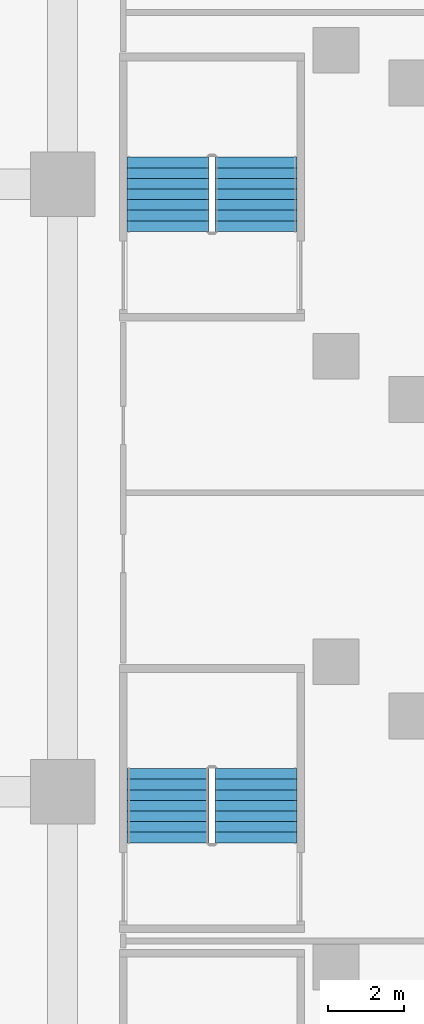
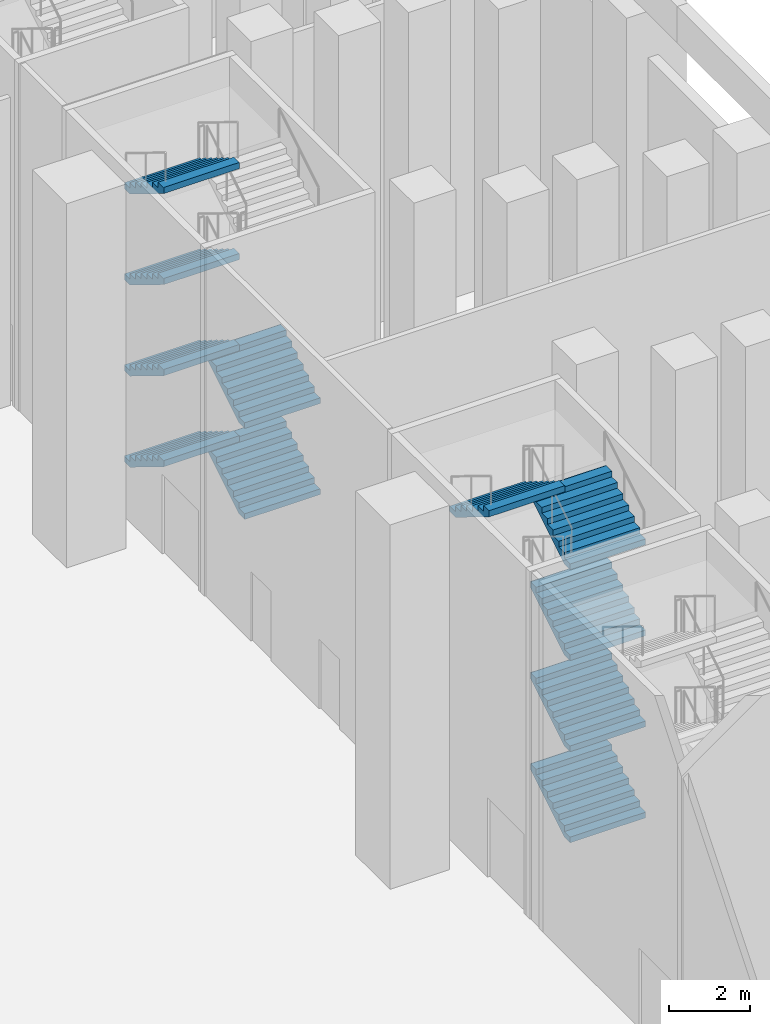
# One storey, part 19 of 31: 11 stair flights, 2 elements without a shape of their own.
"""IFC4 building model written with IfcOpenShell, lengths in metres."""

import ifcopenshell
import ifcopenshell.guid

model = None  # the IFC model being written
_history = None  # IfcOwnerHistory: only IFC2X3 demands one
_inside = {}  # id of a spatial element -> (the spatial element, [elements in it])
_under = {}  # id of a project, library or spatial element -> (it, [spatial elements below it])
_declared = {}  # id of a project -> (the project, [libraries it declares])
_typed = {}  # id of a type object -> (the type object, [elements of that type])
_made_of = {}  # id of a material, layer set ... -> (it, [elements and type objects made of it])


def new_model(schema):
    """Start an empty IFC model of exactly this schema.

    Asked for "IFC4X3", IfcOpenShell would pick the latest addendum, in which some entities
    have other attributes; the version numbers below select the first issue.
    IFC2X3 requires an IfcOwnerHistory on every rooted entity: one is made here for all.
    """
    global model, _history
    if schema == "IFC4X3":
        model = ifcopenshell.file(schema_version=(4, 3, 0, 0))
    else:
        model = ifcopenshell.file(schema=schema)
    _inside.clear()
    _under.clear()
    _declared.clear()
    _typed.clear()
    _made_of.clear()
    _history = None
    if model.schema == "IFC2X3":
        org = make("IfcOrganization", Name="unknown")
        user = make(
            "IfcPersonAndOrganization",
            ThePerson=make("IfcPerson", FamilyName="unknown"),
            TheOrganization=org,
        )
        app = make(
            "IfcApplication",
            ApplicationDeveloper=org,
            Version="unknown",
            ApplicationFullName="unknown",
            ApplicationIdentifier="unknown",
        )
        _history = make(
            "IfcOwnerHistory",
            OwningUser=user,
            OwningApplication=app,
            ChangeAction="ADDED",
            CreationDate=0,
        )
    return model


def make(cls, **values):
    """One entity of the class cls with the attributes given. An attribute that is None is left unset."""
    return model.create_entity(
        cls, **{name: value for name, value in values.items() if value is not None}
    )


def rooted(cls, **values):
    """An entity with a GlobalId (a new one), such as an element, a storey or a relation."""
    return make(cls, GlobalId=ifcopenshell.guid.new(), OwnerHistory=_history, **values)


def si_unit(unit_type, name, prefix=None):
    """IfcSIUnit, for example si_unit("LENGTHUNIT", "METRE", prefix="MILLI")."""
    return make("IfcSIUnit", UnitType=unit_type, Prefix=prefix, Name=name)


def assignment(units):
    """IfcUnitAssignment: the units of a project."""
    return None if units is None else make("IfcUnitAssignment", Units=units)


def point(xyz):
    """IfcCartesianPoint."""
    return None if xyz is None else make("IfcCartesianPoint", Coordinates=xyz)


def direction(xyz):
    """IfcDirection."""
    return None if xyz is None else make("IfcDirection", DirectionRatios=xyz)


def frame(location, z_axis=None, x_axis=None):
    """IfcAxis2Placement3D, a coordinate frame: its origin and axes. An axis left out is left unset."""
    return make(
        "IfcAxis2Placement3D",
        Location=point(location),
        Axis=direction(z_axis),
        RefDirection=direction(x_axis),
    )


def origin():
    """The frame at (0, 0, 0) with its axes left unset."""
    return frame((0.0, 0.0, 0.0))


def place(relative_to, where):
    """IfcLocalPlacement: puts the frame where relative to a parent placement (None: the world)."""
    return make(
        "IfcLocalPlacement", PlacementRelTo=relative_to, RelativePlacement=where
    )


def context(
    kind, dimensions, precision=None, world=None, true_north=None, identifier=None
):
    """IfcGeometricRepresentationContext, for example the 3D "Model" context."""
    return make(
        "IfcGeometricRepresentationContext",
        ContextIdentifier=identifier,
        ContextType=kind,
        CoordinateSpaceDimension=dimensions,
        Precision=precision,
        WorldCoordinateSystem=world,
        TrueNorth=true_north,
    )


def subcontext(parent, identifier, kind, view, scale=None):
    """IfcGeometricRepresentationSubContext, for example "Body" below "Model"."""
    return make(
        "IfcGeometricRepresentationSubContext",
        ContextIdentifier=identifier,
        ContextType=kind,
        ParentContext=parent,
        TargetScale=scale,
        TargetView=view,
    )


def project(units=None, contexts=None):
    """IfcProject with its units and contexts."""
    return rooted(
        "IfcProject",
        Name="project",
        RepresentationContexts=contexts,
        UnitsInContext=assignment(units),
    )


def spatial(cls, under=None, at=None, **own):
    """A site, building, storey or space (cls), placed at a placement, below another one or the project."""
    s = rooted(cls, ObjectPlacement=at, **own)
    if under is not None:
        _under.setdefault(under.id(), (under, []))[1].append(s)
    return s


def faces_of(points, faces, orient=None, outer=None):
    """IfcFace entities. A face is a list of loops; a loop is a list of indices into points, from 0.

    orient and outer hold one flag for each loop. By default every Orientation is true, the
    first loop of a face is its IfcFaceOuterBound and the others are IfcFaceBound.
    """
    made = []
    for i, loops in enumerate(faces):
        bounds = []
        for j, loop in enumerate(loops):
            is_outer = j == 0 if outer is None else outer[i][j]
            bounds.append(
                make(
                    "IfcFaceOuterBound" if is_outer else "IfcFaceBound",
                    Bound=make("IfcPolyLoop", Polygon=[points[k] for k in loop]),
                    Orientation=True if orient is None else orient[i][j],
                )
            )
        made.append(make("IfcFace", Bounds=bounds))
    return made


def faceted_brep(points, faces, orient=None, outer=None, voids=None):
    """IfcFacetedBrep: a solid bounded by flat faces; with voids (closed shells), ...WithVoids."""
    shared = [point(p) for p in points]
    hull = make("IfcClosedShell", CfsFaces=faces_of(shared, faces, orient, outer))
    if voids is None:
        return make("IfcFacetedBrep", Outer=hull)
    return make(
        "IfcFacetedBrepWithVoids",
        Outer=hull,
        Voids=[
            make(cls, CfsFaces=faces_of(shared, fs, o, b)) for cls, fs, o, b in voids
        ],
    )


def shape(context_of_items, identifier, shape_type, items):
    """IfcShapeRepresentation: the items that make up one representation, for example the "Body"."""
    return make(
        "IfcShapeRepresentation",
        ContextOfItems=context_of_items,
        RepresentationIdentifier=identifier,
        RepresentationType=shape_type,
        Items=items,
    )


def source(mapping_origin, context_of_items, identifier, shape_type, items):
    """IfcRepresentationMap: a shape defined once, which mapped items show again and again."""
    return make(
        "IfcRepresentationMap",
        MappingOrigin=mapping_origin,
        MappedRepresentation=shape(context_of_items, identifier, shape_type, items),
    )


def transform(
    local_origin,
    x_axis=None,
    y_axis=None,
    z_axis=None,
    scale=None,
    scale2=None,
    scale3=None,
    uniform=True,
):
    """IfcCartesianTransformationOperator3D, or its non-uniform kind. x_axis, y_axis, z_axis: its Axis1, 2, 3."""
    if uniform:
        return make(
            "IfcCartesianTransformationOperator3D",
            Axis1=direction(x_axis),
            Axis2=direction(y_axis),
            LocalOrigin=point(local_origin),
            Scale=scale,
            Axis3=direction(z_axis),
        )
    return make(
        "IfcCartesianTransformationOperator3DnonUniform",
        Axis1=direction(x_axis),
        Axis2=direction(y_axis),
        LocalOrigin=point(local_origin),
        Scale=scale,
        Axis3=direction(z_axis),
        Scale2=scale2,
        Scale3=scale3,
    )


def mapped(mapping_source, mapping_target):
    """IfcMappedItem: shows the shape of a source again, moved by a transform."""
    return make(
        "IfcMappedItem", MappingSource=mapping_source, MappingTarget=mapping_target
    )


def material(Name=None, Category=None):
    """IfcMaterial."""
    return make("IfcMaterial", Name=Name, Category=Category)


def made_of(thing, what):
    """Note that an element or type object is made of a material, layer set ...; save() writes the relation."""
    if what is not None:
        _made_of.setdefault(what.id(), (what, []))[1].append(thing)
    return thing


def type_object(cls, material=None, **own):
    """A type object (cls), such as IfcWallType, which elements share."""
    return made_of(rooted(cls, **own), material)


def element(
    cls,
    number,
    at=None,
    inside=None,
    cuts=None,
    type_object=None,
    material=None,
    context=None,
    identifier="Body",
    shape_type=None,
    held_by="IfcProductDefinitionShape",
    body=None,
    shapes=None,
    **own,
):
    """One element of the class cls, such as IfcWall. Its Tag is "e" and its number.

    at: its placement. inside: the storey or other place that contains it. cuts: it is an
    opening in that element (IfcRelVoidsElement). A single representation is given by context,
    identifier, shape_type and body (its items); several are given by shapes. held_by: the class
    of the entity that holds the representations. save() writes the other relations.
    """
    e = rooted(cls, Tag="e%d" % number, ObjectPlacement=at, **own)
    if body is not None:
        shapes = [shape(context, identifier, shape_type, body)]
    if shapes is not None:
        e.Representation = make(held_by, Representations=shapes)
    if inside is not None:
        _inside.setdefault(inside.id(), (inside, []))[1].append(e)
    if cuts is not None:
        rooted(
            "IfcRelVoidsElement", RelatingBuildingElement=cuts, RelatedOpeningElement=e
        )
    if type_object is not None:
        _typed.setdefault(type_object.id(), (type_object, []))[1].append(e)
    return made_of(e, material)


def aggregate(whole, parts):
    """IfcRelAggregates: a whole, such as a stair, and the parts it consists of."""
    return rooted("IfcRelAggregates", RelatingObject=whole, RelatedObjects=parts)


def save(model, path):
    """Write the relations noted so far, then the file.

    IfcRelAggregates (storeys below a building ...), IfcRelContainedInSpatialStructure (elements
    in a storey), IfcRelDefinesByType, IfcRelAssociatesMaterial and IfcRelDeclares: one each for
    every whole, place, type object, material and project.
    """
    for whole, parts in _under.values():
        aggregate(whole, parts)
    for where, things in _inside.values():
        rooted(
            "IfcRelContainedInSpatialStructure",
            RelatedElements=things,
            RelatingStructure=where,
        )
    for kind, things in _typed.values():
        rooted("IfcRelDefinesByType", RelatedObjects=things, RelatingType=kind)
    for what, things in _made_of.values():
        rooted("IfcRelAssociatesMaterial", RelatedObjects=things, RelatingMaterial=what)
    for by, libraries in _declared.values():
        rooted("IfcRelDeclares", RelatingContext=by, RelatedDefinitions=libraries)
    model.write(path)


model = new_model("IFC4")

# Units and contexts
model_context = context("Model", 3, precision=1e-05, world=origin(), true_north=direction((0.0, 1.0)))
body_context = subcontext(model_context, "Body", "Model", "MODEL_VIEW")
ifc_project = project(units=[si_unit("LENGTHUNIT", "METRE"), si_unit("AREAUNIT", "SQUARE_METRE"), si_unit("VOLUMEUNIT", "CUBIC_METRE"), si_unit("PLANEANGLEUNIT", "RADIAN"), si_unit("MASSUNIT", "GRAM", prefix="KILO")], contexts=[model_context])

# Site, building, storey
site_placement = place(None, origin())
site = spatial("IfcSite", under=ifc_project, at=site_placement, CompositionType="ELEMENT")
building_placement = place(site_placement, origin())
building = spatial("IfcBuilding", under=site, at=building_placement, Name="Calabash Gate Tower", CompositionType="ELEMENT")
storey_placement = place(building_placement, frame((0.0, 0.0, 9.0)))
storey = spatial("IfcBuildingStorey", under=building, at=storey_placement, Name="L01", CompositionType="ELEMENT", Elevation=9.0)

# Stair, stair flights
ifc_material_1 = material(Name="Concrete C40/50", Category="concrete")
stair_type = type_object("IfcStairType", Name="Public stair 64 risers of 171.9 mm", PredefinedType="HALF_TURN_STAIR", material=ifc_material_1)
stair_1_placement = place(storey_placement, origin())
stair_1 = element("IfcStair", 1, at=stair_1_placement, inside=storey, type_object=stair_type, Name="L01 Public Stair PS7", PredefinedType="HALF_TURN_STAIR")
ifc_material_2 = material(Name="Concrete C40/50", Category="concrete")
stair_flight_type = type_object("IfcStairFlightType", Name="Exit stair flight SFL", PredefinedType="STRAIGHT", material=ifc_material_2)
shared_shape = source(origin(), body_context, "Body", "Brep", [
    faceted_brep([(-0.0009765625, -1.080078125, 0.0), (0.285888671875, -1.080078125, 0.0), (1.9541015625, -1.080078125, 1.027099609375), (-0.0009765625, 1.080078125, 0.0), (1.9541015625, 1.080078125, 1.027099609375), (0.285888671875, 1.080078125, 0.0), (1.9541015625, -1.080078125, 1.215087890625), (1.952880859375, -1.080078125, 1.215087890625), (1.952880859375, 1.080078125, 1.215087890625), (1.9541015625, 1.080078125, 1.215087890625), (1.952880859375, -1.080078125, 1.203125), (1.952880859375, 1.080078125, 1.203125), (1.674072265625, -1.080078125, 1.203125), (1.674072265625, 1.080078125, 1.203125), (1.674072265625, -1.080078125, 1.03125), (1.674072265625, 1.080078125, 1.03125), (1.39501953125, -1.080078125, 1.03125), (1.39501953125, 1.080078125, 1.03125), (1.39501953125, -1.080078125, 0.859375), (1.39501953125, 1.080078125, 0.859375), (1.115966796875, -1.080078125, 0.859375), (1.115966796875, -1.080078125, 0.6875), (1.115966796875, 1.080078125, 0.6875), (1.115966796875, 1.080078125, 0.859375), (0.8369140625, -1.080078125, 0.6875), (0.8369140625, -1.080078125, 0.515625), (0.8369140625, 1.080078125, 0.515625), (0.8369140625, 1.080078125, 0.6875), (0.55810546875, -1.080078125, 0.515625), (0.55810546875, -1.080078125, 0.34375), (0.55810546875, 1.080078125, 0.34375), (0.55810546875, 1.080078125, 0.515625), (0.279052734375, -1.080078125, 0.34375), (0.279052734375, -1.080078125, 0.171875), (0.279052734375, 1.080078125, 0.171875), (0.279052734375, 1.080078125, 0.34375), (-0.0009765625, -1.080078125, 0.171875), (-0.0009765625, 1.080078125, 0.171875), (0.285888671875, -0.431884765625, 0.0), (1.9541015625, -0.431884765625, 1.027099609375), (0.285888671875, -0.370361328125, 0.0), (1.9541015625, -0.370361328125, 1.027099609375), (0.285888671875, -0.30859375, 0.0), (1.9541015625, -0.30859375, 1.027099609375), (0.285888671875, -0.246826171875, 0.0), (1.9541015625, -0.246826171875, 1.027099609375), (0.285888671875, -0.18505859375, 0.0), (1.9541015625, -0.18505859375, 1.027099609375), (0.285888671875, -0.12353515625, 0.0), (1.9541015625, -0.12353515625, 1.027099609375), (0.285888671875, -0.061767578125, 0.0), (1.9541015625, -0.061767578125, 1.027099609375), (0.285888671875, 0.0, 0.0), (1.9541015625, 0.0, 1.027099609375), (0.285888671875, 0.061767578125, 0.0), (1.9541015625, 0.061767578125, 1.027099609375), (0.285888671875, 0.12353515625, 0.0), (1.9541015625, 0.12353515625, 1.027099609375), (0.285888671875, 0.18505859375, 0.0), (1.9541015625, 0.18505859375, 1.027099609375), (0.285888671875, 0.246826171875, 0.0), (1.9541015625, 0.246826171875, 1.027099609375), (0.285888671875, 0.30859375, 0.0), (1.9541015625, 0.30859375, 1.027099609375), (0.285888671875, 0.370361328125, 0.0), (1.9541015625, 0.370361328125, 1.027099609375), (0.285888671875, 0.431884765625, 0.0), (1.9541015625, 0.431884765625, 1.027099609375), (1.9541015625, -0.431884765625, 1.215087890625), (1.9541015625, -0.370361328125, 1.215087890625), (1.9541015625, -0.30859375, 1.215087890625), (1.9541015625, -0.246826171875, 1.215087890625), (1.9541015625, -0.18505859375, 1.215087890625), (1.9541015625, -0.12353515625, 1.215087890625), (1.9541015625, -0.061767578125, 1.215087890625), (1.9541015625, 0.0, 1.215087890625), (1.9541015625, 0.061767578125, 1.215087890625), (1.9541015625, 0.12353515625, 1.215087890625), (1.9541015625, 0.18505859375, 1.215087890625), (1.9541015625, 0.246826171875, 1.215087890625), (1.9541015625, 0.30859375, 1.215087890625), (1.9541015625, 0.370361328125, 1.215087890625), (1.9541015625, 0.431884765625, 1.215087890625), (1.952880859375, -0.431884765625, 1.215087890625), (1.952880859375, -0.370361328125, 1.215087890625), (1.952880859375, -0.30859375, 1.215087890625), (1.952880859375, -0.246826171875, 1.215087890625), (1.952880859375, -0.18505859375, 1.215087890625), (1.952880859375, -0.12353515625, 1.215087890625), (1.952880859375, -0.061767578125, 1.215087890625), (1.952880859375, 0.0, 1.215087890625), (1.952880859375, 0.061767578125, 1.215087890625), (1.952880859375, 0.12353515625, 1.215087890625), (1.952880859375, 0.18505859375, 1.215087890625), (1.952880859375, 0.246826171875, 1.215087890625), (1.952880859375, 0.30859375, 1.215087890625), (1.952880859375, 0.370361328125, 1.215087890625), (1.952880859375, 0.431884765625, 1.215087890625), (1.952880859375, -0.431884765625, 1.203125), (1.952880859375, -0.370361328125, 1.203125), (1.952880859375, -0.30859375, 1.203125), (1.952880859375, -0.246826171875, 1.203125), (1.952880859375, -0.18505859375, 1.203125), (1.952880859375, -0.12353515625, 1.203125), (1.952880859375, -0.061767578125, 1.203125), (1.952880859375, 0.0, 1.203125), (1.952880859375, 0.061767578125, 1.203125), (1.952880859375, 0.12353515625, 1.203125), (1.952880859375, 0.18505859375, 1.203125), (1.952880859375, 0.246826171875, 1.203125), (1.952880859375, 0.30859375, 1.203125), (1.952880859375, 0.370361328125, 1.203125), (1.952880859375, 0.431884765625, 1.203125), (1.674072265625, -0.431884765625, 1.203125), (1.674072265625, -0.370361328125, 1.203125), (1.674072265625, -0.30859375, 1.203125), (1.674072265625, -0.246826171875, 1.203125), (1.674072265625, -0.18505859375, 1.203125), (1.674072265625, -0.12353515625, 1.203125), (1.674072265625, -0.061767578125, 1.203125), (1.674072265625, 0.0, 1.203125), (1.674072265625, 0.061767578125, 1.203125), (1.674072265625, 0.12353515625, 1.203125), (1.674072265625, 0.18505859375, 1.203125), (1.674072265625, 0.246826171875, 1.203125), (1.674072265625, 0.30859375, 1.203125), (1.674072265625, 0.370361328125, 1.203125), (1.674072265625, 0.431884765625, 1.203125), (1.674072265625, -0.431884765625, 1.03125), (1.674072265625, -0.370361328125, 1.03125), (1.674072265625, -0.30859375, 1.03125), (1.674072265625, -0.246826171875, 1.03125), (1.674072265625, -0.18505859375, 1.03125), (1.674072265625, -0.12353515625, 1.03125), (1.674072265625, -0.061767578125, 1.03125), (1.674072265625, 0.0, 1.03125), (1.674072265625, 0.061767578125, 1.03125), (1.674072265625, 0.12353515625, 1.03125), (1.674072265625, 0.18505859375, 1.03125), (1.674072265625, 0.246826171875, 1.03125), (1.674072265625, 0.30859375, 1.03125), (1.674072265625, 0.370361328125, 1.03125), (1.674072265625, 0.431884765625, 1.03125), (1.39501953125, -0.431884765625, 1.03125), (1.39501953125, -0.370361328125, 1.03125), (1.39501953125, -0.30859375, 1.03125), (1.39501953125, -0.246826171875, 1.03125), (1.39501953125, -0.18505859375, 1.03125), (1.39501953125, -0.12353515625, 1.03125), (1.39501953125, -0.061767578125, 1.03125), (1.39501953125, 0.0, 1.03125), (1.39501953125, 0.061767578125, 1.03125), (1.39501953125, 0.12353515625, 1.03125), (1.39501953125, 0.18505859375, 1.03125), (1.39501953125, 0.246826171875, 1.03125), (1.39501953125, 0.30859375, 1.03125), (1.39501953125, 0.370361328125, 1.03125), (1.39501953125, 0.431884765625, 1.03125), (1.39501953125, -0.431884765625, 0.859375), (1.39501953125, -0.370361328125, 0.859375), (1.39501953125, -0.30859375, 0.859375), (1.39501953125, -0.246826171875, 0.859375), (1.39501953125, -0.18505859375, 0.859375), (1.39501953125, -0.12353515625, 0.859375), (1.39501953125, -0.061767578125, 0.859375), (1.39501953125, 0.0, 0.859375), (1.39501953125, 0.061767578125, 0.859375), (1.39501953125, 0.12353515625, 0.859375), (1.39501953125, 0.18505859375, 0.859375), (1.39501953125, 0.246826171875, 0.859375), (1.39501953125, 0.30859375, 0.859375), (1.39501953125, 0.370361328125, 0.859375), (1.39501953125, 0.431884765625, 0.859375), (1.115966796875, -0.431884765625, 0.859375), (1.115966796875, -0.370361328125, 0.859375), (1.115966796875, -0.30859375, 0.859375), (1.115966796875, -0.246826171875, 0.859375), (1.115966796875, -0.18505859375, 0.859375), (1.115966796875, -0.12353515625, 0.859375), (1.115966796875, -0.061767578125, 0.859375), (1.115966796875, 0.0, 0.859375), (1.115966796875, 0.061767578125, 0.859375), (1.115966796875, 0.12353515625, 0.859375), (1.115966796875, 0.18505859375, 0.859375), (1.115966796875, 0.246826171875, 0.859375), (1.115966796875, 0.30859375, 0.859375), (1.115966796875, 0.370361328125, 0.859375), (1.115966796875, 0.431884765625, 0.859375), (1.115966796875, -0.431884765625, 0.6875), (1.115966796875, -0.370361328125, 0.6875), (1.115966796875, -0.30859375, 0.6875), (1.115966796875, -0.246826171875, 0.6875), (1.115966796875, -0.18505859375, 0.6875), (1.115966796875, -0.12353515625, 0.6875), (1.115966796875, -0.061767578125, 0.6875), (1.115966796875, 0.0, 0.6875), (1.115966796875, 0.061767578125, 0.6875), (1.115966796875, 0.12353515625, 0.6875), (1.115966796875, 0.18505859375, 0.6875), (1.115966796875, 0.246826171875, 0.6875), (1.115966796875, 0.30859375, 0.6875), (1.115966796875, 0.370361328125, 0.6875), (1.115966796875, 0.431884765625, 0.6875), (0.8369140625, -0.431884765625, 0.6875), (0.8369140625, -0.370361328125, 0.6875), (0.8369140625, -0.30859375, 0.6875), (0.8369140625, -0.246826171875, 0.6875), (0.8369140625, -0.18505859375, 0.6875), (0.8369140625, -0.12353515625, 0.6875), (0.8369140625, -0.061767578125, 0.6875), (0.8369140625, 0.0, 0.6875), (0.8369140625, 0.061767578125, 0.6875), (0.8369140625, 0.12353515625, 0.6875), (0.8369140625, 0.18505859375, 0.6875), (0.8369140625, 0.246826171875, 0.6875), (0.8369140625, 0.30859375, 0.6875), (0.8369140625, 0.370361328125, 0.6875), (0.8369140625, 0.431884765625, 0.6875), (0.8369140625, -0.431884765625, 0.515625), (0.8369140625, -0.370361328125, 0.515625), (0.8369140625, -0.30859375, 0.515625), (0.8369140625, -0.246826171875, 0.515625), (0.8369140625, -0.18505859375, 0.515625), (0.8369140625, -0.12353515625, 0.515625), (0.8369140625, -0.061767578125, 0.515625), (0.8369140625, 0.0, 0.515625), (0.8369140625, 0.061767578125, 0.515625), (0.8369140625, 0.12353515625, 0.515625), (0.8369140625, 0.18505859375, 0.515625), (0.8369140625, 0.246826171875, 0.515625), (0.8369140625, 0.30859375, 0.515625), (0.8369140625, 0.370361328125, 0.515625), (0.8369140625, 0.431884765625, 0.515625), (0.55810546875, -0.431884765625, 0.515625), (0.55810546875, -0.370361328125, 0.515625), (0.55810546875, -0.30859375, 0.515625), (0.55810546875, -0.246826171875, 0.515625), (0.55810546875, -0.18505859375, 0.515625), (0.55810546875, -0.12353515625, 0.515625), (0.55810546875, -0.061767578125, 0.515625), (0.55810546875, 0.0, 0.515625), (0.55810546875, 0.061767578125, 0.515625), (0.55810546875, 0.12353515625, 0.515625), (0.55810546875, 0.18505859375, 0.515625), (0.55810546875, 0.246826171875, 0.515625), (0.55810546875, 0.30859375, 0.515625), (0.55810546875, 0.370361328125, 0.515625), (0.55810546875, 0.431884765625, 0.515625), (0.55810546875, -0.431884765625, 0.34375), (0.55810546875, -0.370361328125, 0.34375), (0.55810546875, -0.30859375, 0.34375), (0.55810546875, -0.246826171875, 0.34375), (0.55810546875, -0.18505859375, 0.34375), (0.55810546875, -0.12353515625, 0.34375), (0.55810546875, -0.061767578125, 0.34375), (0.55810546875, 0.0, 0.34375), (0.55810546875, 0.061767578125, 0.34375), (0.55810546875, 0.12353515625, 0.34375), (0.55810546875, 0.18505859375, 0.34375), (0.55810546875, 0.246826171875, 0.34375), (0.55810546875, 0.30859375, 0.34375), (0.55810546875, 0.370361328125, 0.34375), (0.55810546875, 0.431884765625, 0.34375), (0.279052734375, -0.431884765625, 0.34375), (0.279052734375, -0.370361328125, 0.34375), (0.279052734375, -0.30859375, 0.34375), (0.279052734375, -0.246826171875, 0.34375), (0.279052734375, -0.18505859375, 0.34375), (0.279052734375, -0.12353515625, 0.34375), (0.279052734375, -0.061767578125, 0.34375), (0.279052734375, 0.0, 0.34375), (0.279052734375, 0.061767578125, 0.34375), (0.279052734375, 0.12353515625, 0.34375), (0.279052734375, 0.18505859375, 0.34375), (0.279052734375, 0.246826171875, 0.34375), (0.279052734375, 0.30859375, 0.34375), (0.279052734375, 0.370361328125, 0.34375), (0.279052734375, 0.431884765625, 0.34375), (0.279052734375, -0.431884765625, 0.171875), (0.279052734375, -0.370361328125, 0.171875), (0.279052734375, -0.30859375, 0.171875), (0.279052734375, -0.246826171875, 0.171875), (0.279052734375, -0.18505859375, 0.171875), (0.279052734375, -0.12353515625, 0.171875), (0.279052734375, -0.061767578125, 0.171875), (0.279052734375, 0.0, 0.171875), (0.279052734375, 0.061767578125, 0.171875), (0.279052734375, 0.12353515625, 0.171875), (0.279052734375, 0.18505859375, 0.171875), (0.279052734375, 0.246826171875, 0.171875), (0.279052734375, 0.30859375, 0.171875), (0.279052734375, 0.370361328125, 0.171875), (0.279052734375, 0.431884765625, 0.171875), (-0.0009765625, -0.431884765625, 0.171875), (-0.0009765625, -0.370361328125, 0.171875), (-0.0009765625, -0.30859375, 0.171875), (-0.0009765625, -0.246826171875, 0.171875), (-0.0009765625, -0.18505859375, 0.171875), (-0.0009765625, -0.12353515625, 0.171875), (-0.0009765625, -0.061767578125, 0.171875), (-0.0009765625, 0.0, 0.171875), (-0.0009765625, 0.061767578125, 0.171875), (-0.0009765625, 0.12353515625, 0.171875), (-0.0009765625, 0.18505859375, 0.171875), (-0.0009765625, 0.246826171875, 0.171875), (-0.0009765625, 0.30859375, 0.171875), (-0.0009765625, 0.370361328125, 0.171875), (-0.0009765625, 0.431884765625, 0.171875), (-0.0009765625, -0.431884765625, 0.0), (-0.0009765625, -0.370361328125, 0.0), (-0.0009765625, -0.30859375, 0.0), (-0.0009765625, -0.246826171875, 0.0), (-0.0009765625, -0.18505859375, 0.0), (-0.0009765625, -0.12353515625, 0.0), (-0.0009765625, -0.061767578125, 0.0), (-0.0009765625, 0.0, 0.0), (-0.0009765625, 0.061767578125, 0.0), (-0.0009765625, 0.12353515625, 0.0), (-0.0009765625, 0.18505859375, 0.0), (-0.0009765625, 0.246826171875, 0.0), (-0.0009765625, 0.30859375, 0.0), (-0.0009765625, 0.370361328125, 0.0), (-0.0009765625, 0.431884765625, 0.0)], [[[0, 1, 2]], [[3, 4, 5]], [[2, 6, 7]], [[4, 8, 9]], [[2, 7, 10]], [[4, 11, 8]], [[2, 10, 12]], [[4, 13, 11]], [[2, 12, 14]], [[4, 15, 13]], [[2, 14, 16]], [[4, 17, 15]], [[2, 16, 18]], [[4, 19, 17]], [[18, 20, 21]], [[19, 22, 23]], [[2, 18, 21]], [[4, 22, 19]], [[21, 24, 25]], [[22, 26, 27]], [[2, 21, 25]], [[4, 26, 22]], [[25, 28, 29]], [[26, 30, 31]], [[2, 25, 29]], [[4, 30, 26]], [[29, 32, 33]], [[30, 34, 35]], [[2, 29, 33]], [[4, 34, 30]], [[0, 2, 33]], [[3, 34, 4]], [[33, 36, 0]], [[34, 3, 37]], [[1, 38, 2]], [[38, 39, 2]], [[38, 40, 39]], [[40, 41, 39]], [[40, 42, 41]], [[42, 43, 41]], [[42, 44, 43]], [[44, 45, 43]], [[44, 46, 45]], [[46, 47, 45]], [[46, 48, 47]], [[48, 49, 47]], [[48, 50, 49]], [[50, 51, 49]], [[50, 52, 51]], [[52, 53, 51]], [[52, 54, 55]], [[52, 55, 53]], [[54, 56, 57]], [[54, 57, 55]], [[56, 58, 59]], [[56, 59, 57]], [[58, 60, 61]], [[58, 61, 59]], [[60, 62, 63]], [[60, 63, 61]], [[62, 64, 65]], [[62, 65, 63]], [[64, 66, 67]], [[64, 67, 65]], [[66, 5, 4]], [[66, 4, 67]], [[2, 39, 6]], [[39, 68, 6]], [[39, 41, 68]], [[41, 69, 68]], [[41, 43, 69]], [[43, 70, 69]], [[43, 45, 70]], [[45, 71, 70]], [[45, 47, 71]], [[47, 72, 71]], [[47, 49, 72]], [[49, 73, 72]], [[49, 51, 73]], [[51, 74, 73]], [[51, 53, 74]], [[53, 75, 74]], [[53, 55, 76]], [[53, 76, 75]], [[55, 57, 77]], [[55, 77, 76]], [[57, 59, 78]], [[57, 78, 77]], [[59, 61, 79]], [[59, 79, 78]], [[61, 63, 80]], [[61, 80, 79]], [[63, 65, 81]], [[63, 81, 80]], [[65, 67, 82]], [[65, 82, 81]], [[67, 4, 9]], [[67, 9, 82]], [[6, 68, 7]], [[68, 83, 7]], [[68, 69, 83]], [[69, 84, 83]], [[69, 70, 84]], [[70, 85, 84]], [[70, 71, 85]], [[71, 86, 85]], [[71, 72, 86]], [[72, 87, 86]], [[72, 73, 87]], [[73, 88, 87]], [[73, 74, 88]], [[74, 89, 88]], [[74, 75, 89]], [[75, 90, 89]], [[75, 76, 91]], [[75, 91, 90]], [[76, 77, 92]], [[76, 92, 91]], [[77, 78, 93]], [[77, 93, 92]], [[78, 79, 94]], [[78, 94, 93]], [[79, 80, 95]], [[79, 95, 94]], [[80, 81, 96]], [[80, 96, 95]], [[81, 82, 97]], [[81, 97, 96]], [[82, 9, 8]], [[82, 8, 97]], [[7, 83, 10]], [[83, 98, 10]], [[83, 84, 98]], [[84, 99, 98]], [[84, 85, 99]], [[85, 100, 99]], [[85, 86, 100]], [[86, 101, 100]], [[86, 87, 101]], [[87, 102, 101]], [[87, 88, 102]], [[88, 103, 102]], [[88, 89, 103]], [[89, 104, 103]], [[89, 90, 104]], [[90, 105, 104]], [[90, 91, 106]], [[90, 106, 105]], [[91, 92, 107]], [[91, 107, 106]], [[92, 93, 108]], [[92, 108, 107]], [[93, 94, 109]], [[93, 109, 108]], [[94, 95, 110]], [[94, 110, 109]], [[95, 96, 111]], [[95, 111, 110]], [[96, 97, 112]], [[96, 112, 111]], [[97, 8, 11]], [[97, 11, 112]], [[10, 98, 12]], [[98, 113, 12]], [[98, 99, 113]], [[99, 114, 113]], [[99, 100, 114]], [[100, 115, 114]], [[100, 101, 115]], [[101, 116, 115]], [[101, 102, 116]], [[102, 117, 116]], [[102, 103, 117]], [[103, 118, 117]], [[103, 104, 118]], [[104, 119, 118]], [[104, 105, 119]], [[105, 120, 119]], [[105, 106, 121]], [[105, 121, 120]], [[106, 107, 122]], [[106, 122, 121]], [[107, 108, 123]], [[107, 123, 122]], [[108, 109, 124]], [[108, 124, 123]], [[109, 110, 125]], [[109, 125, 124]], [[110, 111, 126]], [[110, 126, 125]], [[111, 112, 127]], [[111, 127, 126]], [[112, 11, 13]], [[112, 13, 127]], [[12, 113, 14]], [[113, 128, 14]], [[113, 114, 128]], [[114, 129, 128]], [[114, 115, 129]], [[115, 130, 129]], [[115, 116, 130]], [[116, 131, 130]], [[116, 117, 131]], [[117, 132, 131]], [[117, 118, 132]], [[118, 133, 132]], [[118, 119, 133]], [[119, 134, 133]], [[119, 120, 134]], [[120, 135, 134]], [[120, 121, 136]], [[120, 136, 135]], [[121, 122, 137]], [[121, 137, 136]], [[122, 123, 138]], [[122, 138, 137]], [[123, 124, 139]], [[123, 139, 138]], [[124, 125, 140]], [[124, 140, 139]], [[125, 126, 141]], [[125, 141, 140]], [[126, 127, 142]], [[126, 142, 141]], [[127, 13, 15]], [[127, 15, 142]], [[14, 128, 16]], [[128, 143, 16]], [[128, 129, 143]], [[129, 144, 143]], [[129, 130, 144]], [[130, 145, 144]], [[130, 131, 145]], [[131, 146, 145]], [[131, 132, 146]], [[132, 147, 146]], [[132, 133, 147]], [[133, 148, 147]], [[133, 134, 148]], [[134, 149, 148]], [[134, 135, 149]], [[135, 150, 149]], [[135, 136, 151]], [[135, 151, 150]], [[136, 137, 152]], [[136, 152, 151]], [[137, 138, 153]], [[137, 153, 152]], [[138, 139, 154]], [[138, 154, 153]], [[139, 140, 155]], [[139, 155, 154]], [[140, 141, 156]], [[140, 156, 155]], [[141, 142, 157]], [[141, 157, 156]], [[142, 15, 17]], [[142, 17, 157]], [[16, 143, 18]], [[143, 158, 18]], [[143, 144, 158]], [[144, 159, 158]], [[144, 145, 159]], [[145, 160, 159]], [[145, 146, 160]], [[146, 161, 160]], [[146, 147, 161]], [[147, 162, 161]], [[147, 148, 162]], [[148, 163, 162]], [[148, 149, 163]], [[149, 164, 163]], [[149, 150, 164]], [[150, 165, 164]], [[150, 151, 166]], [[150, 166, 165]], [[151, 152, 167]], [[151, 167, 166]], [[152, 153, 168]], [[152, 168, 167]], [[153, 154, 169]], [[153, 169, 168]], [[154, 155, 170]], [[154, 170, 169]], [[155, 156, 171]], [[155, 171, 170]], [[156, 157, 172]], [[156, 172, 171]], [[157, 17, 19]], [[157, 19, 172]], [[18, 158, 20]], [[158, 173, 20]], [[158, 159, 173]], [[159, 174, 173]], [[159, 160, 174]], [[160, 175, 174]], [[160, 161, 175]], [[161, 176, 175]], [[161, 162, 176]], [[162, 177, 176]], [[162, 163, 177]], [[163, 178, 177]], [[163, 164, 178]], [[164, 179, 178]], [[164, 165, 179]], [[165, 180, 179]], [[165, 166, 181]], [[165, 181, 180]], [[166, 167, 182]], [[166, 182, 181]], [[167, 168, 183]], [[167, 183, 182]], [[168, 169, 184]], [[168, 184, 183]], [[169, 170, 185]], [[169, 185, 184]], [[170, 171, 186]], [[170, 186, 185]], [[171, 172, 187]], [[171, 187, 186]], [[172, 19, 23]], [[172, 23, 187]], [[20, 173, 21]], [[173, 188, 21]], [[173, 174, 188]], [[174, 189, 188]], [[174, 175, 189]], [[175, 190, 189]], [[175, 176, 190]], [[176, 191, 190]], [[176, 177, 191]], [[177, 192, 191]], [[177, 178, 192]], [[178, 193, 192]], [[178, 179, 193]], [[179, 194, 193]], [[179, 180, 194]], [[180, 195, 194]], [[180, 181, 196]], [[180, 196, 195]], [[181, 182, 197]], [[181, 197, 196]], [[182, 183, 198]], [[182, 198, 197]], [[183, 184, 199]], [[183, 199, 198]], [[184, 185, 200]], [[184, 200, 199]], [[185, 186, 201]], [[185, 201, 200]], [[186, 187, 202]], [[186, 202, 201]], [[187, 23, 22]], [[187, 22, 202]], [[21, 188, 24]], [[188, 203, 24]], [[188, 189, 203]], [[189, 204, 203]], [[189, 190, 204]], [[190, 205, 204]], [[190, 191, 205]], [[191, 206, 205]], [[191, 192, 206]], [[192, 207, 206]], [[192, 193, 207]], [[193, 208, 207]], [[193, 194, 208]], [[194, 209, 208]], [[194, 195, 209]], [[195, 210, 209]], [[195, 196, 211]], [[195, 211, 210]], [[196, 197, 212]], [[196, 212, 211]], [[197, 198, 213]], [[197, 213, 212]], [[198, 199, 214]], [[198, 214, 213]], [[199, 200, 215]], [[199, 215, 214]], [[200, 201, 216]], [[200, 216, 215]], [[201, 202, 217]], [[201, 217, 216]], [[202, 22, 27]], [[202, 27, 217]], [[24, 203, 25]], [[203, 218, 25]], [[203, 204, 218]], [[204, 219, 218]], [[204, 205, 219]], [[205, 220, 219]], [[205, 206, 220]], [[206, 221, 220]], [[206, 207, 221]], [[207, 222, 221]], [[207, 208, 222]], [[208, 223, 222]], [[208, 209, 223]], [[209, 224, 223]], [[209, 210, 224]], [[210, 225, 224]], [[210, 211, 226]], [[210, 226, 225]], [[211, 212, 227]], [[211, 227, 226]], [[212, 213, 228]], [[212, 228, 227]], [[213, 214, 229]], [[213, 229, 228]], [[214, 215, 230]], [[214, 230, 229]], [[215, 216, 231]], [[215, 231, 230]], [[216, 217, 232]], [[216, 232, 231]], [[217, 27, 26]], [[217, 26, 232]], [[25, 218, 28]], [[218, 233, 28]], [[218, 219, 233]], [[219, 234, 233]], [[219, 220, 234]], [[220, 235, 234]], [[220, 221, 235]], [[221, 236, 235]], [[221, 222, 236]], [[222, 237, 236]], [[222, 223, 237]], [[223, 238, 237]], [[223, 224, 238]], [[224, 239, 238]], [[224, 225, 239]], [[225, 240, 239]], [[225, 226, 241]], [[225, 241, 240]], [[226, 227, 242]], [[226, 242, 241]], [[227, 228, 243]], [[227, 243, 242]], [[228, 229, 244]], [[228, 244, 243]], [[229, 230, 245]], [[229, 245, 244]], [[230, 231, 246]], [[230, 246, 245]], [[231, 232, 247]], [[231, 247, 246]], [[232, 26, 31]], [[232, 31, 247]], [[28, 233, 29]], [[233, 248, 29]], [[233, 234, 248]], [[234, 249, 248]], [[234, 235, 249]], [[235, 250, 249]], [[235, 236, 250]], [[236, 251, 250]], [[236, 237, 251]], [[237, 252, 251]], [[237, 238, 252]], [[238, 253, 252]], [[238, 239, 253]], [[239, 254, 253]], [[239, 240, 254]], [[240, 255, 254]], [[240, 241, 256]], [[240, 256, 255]], [[241, 242, 257]], [[241, 257, 256]], [[242, 243, 258]], [[242, 258, 257]], [[243, 244, 259]], [[243, 259, 258]], [[244, 245, 260]], [[244, 260, 259]], [[245, 246, 261]], [[245, 261, 260]], [[246, 247, 262]], [[246, 262, 261]], [[247, 31, 30]], [[247, 30, 262]], [[29, 248, 32]], [[248, 263, 32]], [[248, 249, 263]], [[249, 264, 263]], [[249, 250, 264]], [[250, 265, 264]], [[250, 251, 265]], [[251, 266, 265]], [[251, 252, 266]], [[252, 267, 266]], [[252, 253, 267]], [[253, 268, 267]], [[253, 254, 268]], [[254, 269, 268]], [[254, 255, 269]], [[255, 270, 269]], [[255, 256, 271]], [[255, 271, 270]], [[256, 257, 272]], [[256, 272, 271]], [[257, 258, 273]], [[257, 273, 272]], [[258, 259, 274]], [[258, 274, 273]], [[259, 260, 275]], [[259, 275, 274]], [[260, 261, 276]], [[260, 276, 275]], [[261, 262, 277]], [[261, 277, 276]], [[262, 30, 35]], [[262, 35, 277]], [[32, 263, 33]], [[263, 278, 33]], [[263, 264, 278]], [[264, 279, 278]], [[264, 265, 279]], [[265, 280, 279]], [[265, 266, 280]], [[266, 281, 280]], [[266, 267, 281]], [[267, 282, 281]], [[267, 268, 282]], [[268, 283, 282]], [[268, 269, 283]], [[269, 284, 283]], [[269, 270, 284]], [[270, 285, 284]], [[270, 271, 286]], [[270, 286, 285]], [[271, 272, 287]], [[271, 287, 286]], [[272, 273, 288]], [[272, 288, 287]], [[273, 274, 289]], [[273, 289, 288]], [[274, 275, 290]], [[274, 290, 289]], [[275, 276, 291]], [[275, 291, 290]], [[276, 277, 292]], [[276, 292, 291]], [[277, 35, 34]], [[277, 34, 292]], [[33, 278, 36]], [[278, 293, 36]], [[278, 279, 293]], [[279, 294, 293]], [[279, 280, 294]], [[280, 295, 294]], [[280, 281, 295]], [[281, 296, 295]], [[281, 282, 296]], [[282, 297, 296]], [[282, 283, 297]], [[283, 298, 297]], [[283, 284, 298]], [[284, 299, 298]], [[284, 285, 299]], [[285, 300, 299]], [[285, 286, 301]], [[285, 301, 300]], [[286, 287, 302]], [[286, 302, 301]], [[287, 288, 303]], [[287, 303, 302]], [[288, 289, 304]], [[288, 304, 303]], [[289, 290, 305]], [[289, 305, 304]], [[290, 291, 306]], [[290, 306, 305]], [[291, 292, 307]], [[291, 307, 306]], [[292, 34, 37]], [[292, 37, 307]], [[36, 293, 0]], [[293, 308, 0]], [[293, 294, 308]], [[294, 309, 308]], [[294, 295, 309]], [[295, 310, 309]], [[295, 296, 310]], [[296, 311, 310]], [[296, 297, 311]], [[297, 312, 311]], [[297, 298, 312]], [[298, 313, 312]], [[298, 299, 313]], [[299, 314, 313]], [[299, 300, 314]], [[300, 315, 314]], [[300, 301, 316]], [[300, 316, 315]], [[301, 302, 317]], [[301, 317, 316]], [[302, 303, 318]], [[302, 318, 317]], [[303, 304, 319]], [[303, 319, 318]], [[304, 305, 320]], [[304, 320, 319]], [[305, 306, 321]], [[305, 321, 320]], [[306, 307, 322]], [[306, 322, 321]], [[307, 37, 3]], [[307, 3, 322]], [[0, 308, 1]], [[308, 38, 1]], [[308, 309, 38]], [[309, 40, 38]], [[309, 310, 40]], [[310, 42, 40]], [[310, 311, 42]], [[311, 44, 42]], [[311, 312, 44]], [[312, 46, 44]], [[312, 313, 46]], [[313, 48, 46]], [[313, 314, 48]], [[314, 50, 48]], [[314, 315, 50]], [[315, 52, 50]], [[315, 316, 54]], [[315, 54, 52]], [[316, 317, 56]], [[316, 56, 54]], [[317, 318, 58]], [[317, 58, 56]], [[318, 319, 60]], [[318, 60, 58]], [[319, 320, 62]], [[319, 62, 60]], [[320, 321, 64]], [[320, 64, 62]], [[321, 322, 66]], [[321, 66, 64]], [[322, 3, 5]], [[322, 5, 66]]]),
])
stair_flight_1_placement = place(storey_placement, frame((37.090087890625, -25.340087890625, 0.0), z_axis=(0.0, 0.0, 1.0), x_axis=(0.0, 1.0, 0.0)))
stair_flight_1 = element("IfcStairFlight", 2, at=stair_flight_1_placement, type_object=stair_flight_type, Name="PS7 flight 1", NumberOfRisers=8, NumberOfTreads=7, PredefinedType="STRAIGHT", RiserHeight=0.171875, TreadLength=0.279, context=body_context, shape_type="MappedRepresentation", body=[
    mapped(shared_shape, transform((0.0, 0.0, 0.0), scale=1.0)),
])
stair_flight_2_placement = place(storey_placement, frame((37.090087890625, -25.340087890625, 2.75), z_axis=(0.0, 0.0, 1.0), x_axis=(0.0, 1.0, 0.0)))
stair_flight_2 = element("IfcStairFlight", 3, at=stair_flight_2_placement, type_object=stair_flight_type, Name="PS7 flight 3", NumberOfRisers=8, NumberOfTreads=7, PredefinedType="STRAIGHT", RiserHeight=0.171875, TreadLength=0.279, context=body_context, shape_type="MappedRepresentation", body=[
    mapped(shared_shape, transform((0.0, 0.0, 0.0), scale=1.0)),
])
stair_flight_3_placement = place(storey_placement, frame((37.090087890625, -25.340087890625, 5.5), z_axis=(0.0, 0.0, 1.0), x_axis=(0.0, 1.0, 0.0)))
stair_flight_3 = element("IfcStairFlight", 4, at=stair_flight_3_placement, type_object=stair_flight_type, Name="PS7 flight 5", NumberOfRisers=8, NumberOfTreads=7, PredefinedType="STRAIGHT", RiserHeight=0.171875, TreadLength=0.279, context=body_context, shape_type="MappedRepresentation", body=[
    mapped(shared_shape, transform((0.0, 0.0, 0.0), scale=1.0)),
])
stair_flight_4_placement = place(storey_placement, frame((37.090087890625, -25.340087890625, 8.25), z_axis=(0.0, 0.0, 1.0), x_axis=(0.0, 1.0, 0.0)))
stair_flight_4 = element("IfcStairFlight", 5, at=stair_flight_4_placement, type_object=stair_flight_type, Name="PS7 flight 7", NumberOfRisers=8, NumberOfTreads=7, PredefinedType="STRAIGHT", RiserHeight=0.171875, TreadLength=0.279, context=body_context, shape_type="MappedRepresentation", body=[
    mapped(shared_shape, transform((0.0, 0.0, 0.0), scale=1.0)),
])
stair_flight_5_placement = place(storey_placement, frame((34.780029296875, -23.386962890625, 9.625), z_axis=(0.0, 0.0, 1.0), x_axis=(0.0, -1.0, 0.0)))
stair_flight_5 = element("IfcStairFlight", 6, at=stair_flight_5_placement, type_object=stair_flight_type, Name="PS7 flight 8", NumberOfRisers=8, NumberOfTreads=7, PredefinedType="STRAIGHT", RiserHeight=0.171875, TreadLength=0.279, context=body_context, shape_type="MappedRepresentation", body=[
    mapped(shared_shape, transform((0.0, 0.0, 0.0), scale=1.0)),
])
aggregate(stair_1, [stair_flight_1, stair_flight_2, stair_flight_3, stair_flight_4, stair_flight_5])

stair_2_placement = place(storey_placement, origin())
stair_2 = element("IfcStair", 7, at=stair_2_placement, inside=storey, type_object=stair_type, Name="L01 Public Stair PS8", PredefinedType="HALF_TURN_STAIR")
stair_flight_6_placement = place(storey_placement, frame((37.090087890625, -9.239990234375, 0.0), z_axis=(0.0, 0.0, 1.0), x_axis=(0.0, 1.0, 0.0)))
stair_flight_6 = element("IfcStairFlight", 8, at=stair_flight_6_placement, type_object=stair_flight_type, Name="PS8 flight 1", NumberOfRisers=8, NumberOfTreads=7, PredefinedType="STRAIGHT", RiserHeight=0.171875, TreadLength=0.279, context=body_context, shape_type="MappedRepresentation", body=[
    mapped(shared_shape, transform((0.0, 0.0, 0.0), scale=1.0)),
])
stair_flight_7_placement = place(storey_placement, frame((34.780029296875, -7.287109375, 1.375), z_axis=(0.0, 0.0, 1.0), x_axis=(0.0, -1.0, 0.0)))
stair_flight_7 = element("IfcStairFlight", 9, at=stair_flight_7_placement, type_object=stair_flight_type, Name="PS8 flight 2", NumberOfRisers=8, NumberOfTreads=7, PredefinedType="STRAIGHT", RiserHeight=0.171875, TreadLength=0.279, context=body_context, shape_type="MappedRepresentation", body=[
    mapped(shared_shape, transform((0.0, 0.0, 0.0), scale=1.0)),
])
stair_flight_8_placement = place(storey_placement, frame((37.090087890625, -9.239990234375, 2.75), z_axis=(0.0, 0.0, 1.0), x_axis=(0.0, 1.0, 0.0)))
stair_flight_8 = element("IfcStairFlight", 10, at=stair_flight_8_placement, type_object=stair_flight_type, Name="PS8 flight 3", NumberOfRisers=8, NumberOfTreads=7, PredefinedType="STRAIGHT", RiserHeight=0.171875, TreadLength=0.279, context=body_context, shape_type="MappedRepresentation", body=[
    mapped(shared_shape, transform((0.0, 0.0, 0.0), scale=1.0)),
])
stair_flight_9_placement = place(storey_placement, frame((34.780029296875, -7.287109375, 4.125), z_axis=(0.0, 0.0, 1.0), x_axis=(0.0, -1.0, 0.0)))
stair_flight_9 = element("IfcStairFlight", 11, at=stair_flight_9_placement, type_object=stair_flight_type, Name="PS8 flight 4", NumberOfRisers=8, NumberOfTreads=7, PredefinedType="STRAIGHT", RiserHeight=0.171875, TreadLength=0.279, context=body_context, shape_type="MappedRepresentation", body=[
    mapped(shared_shape, transform((0.0, 0.0, 0.0), scale=1.0)),
])
stair_flight_10_placement = place(storey_placement, frame((34.780029296875, -7.287109375, 6.875), z_axis=(0.0, 0.0, 1.0), x_axis=(0.0, -1.0, 0.0)))
stair_flight_10 = element("IfcStairFlight", 12, at=stair_flight_10_placement, type_object=stair_flight_type, Name="PS8 flight 6", NumberOfRisers=8, NumberOfTreads=7, PredefinedType="STRAIGHT", RiserHeight=0.171875, TreadLength=0.279, context=body_context, shape_type="MappedRepresentation", body=[
    mapped(shared_shape, transform((0.0, 0.0, 0.0), scale=1.0)),
])
stair_flight_11_placement = place(storey_placement, frame((34.780029296875, -7.287109375, 9.625), z_axis=(0.0, 0.0, 1.0), x_axis=(0.0, -1.0, 0.0)))
stair_flight_11 = element("IfcStairFlight", 13, at=stair_flight_11_placement, type_object=stair_flight_type, Name="PS8 flight 8", NumberOfRisers=8, NumberOfTreads=7, PredefinedType="STRAIGHT", RiserHeight=0.171875, TreadLength=0.279, context=body_context, shape_type="MappedRepresentation", body=[
    mapped(shared_shape, transform((0.0, 0.0, 0.0), scale=1.0)),
])
aggregate(stair_2, [stair_flight_6, stair_flight_7, stair_flight_8, stair_flight_9, stair_flight_10, stair_flight_11])

save(model, "model.ifc")
